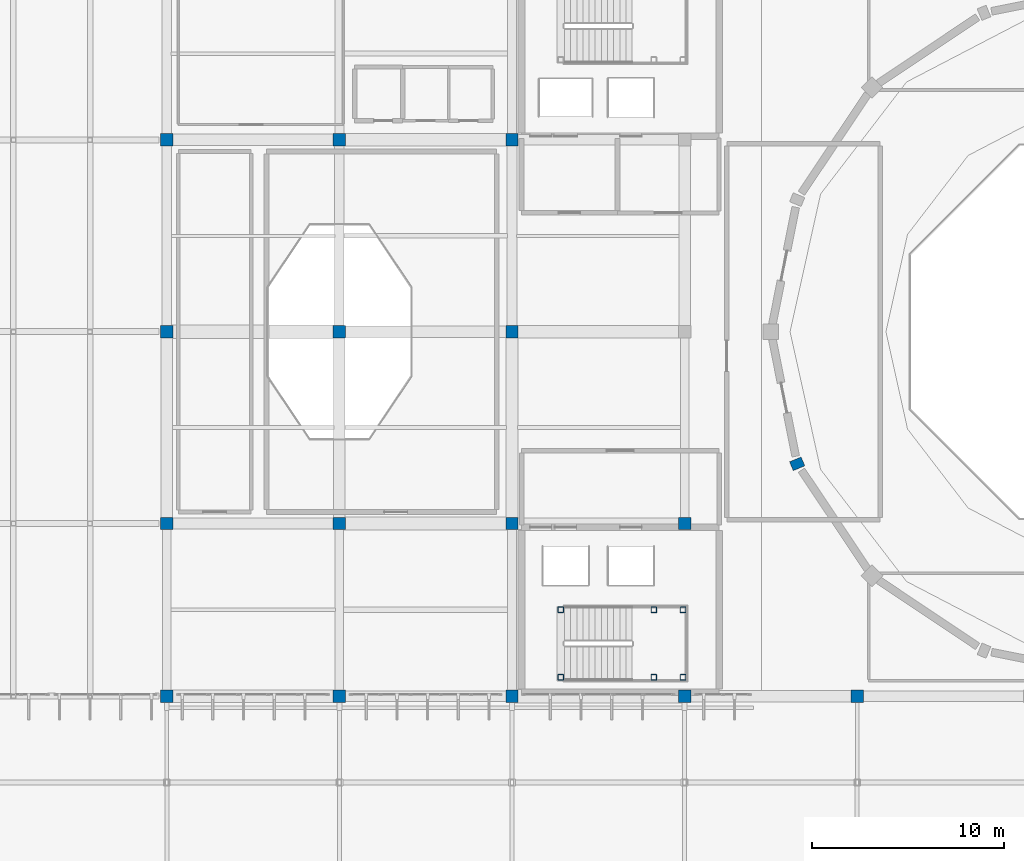
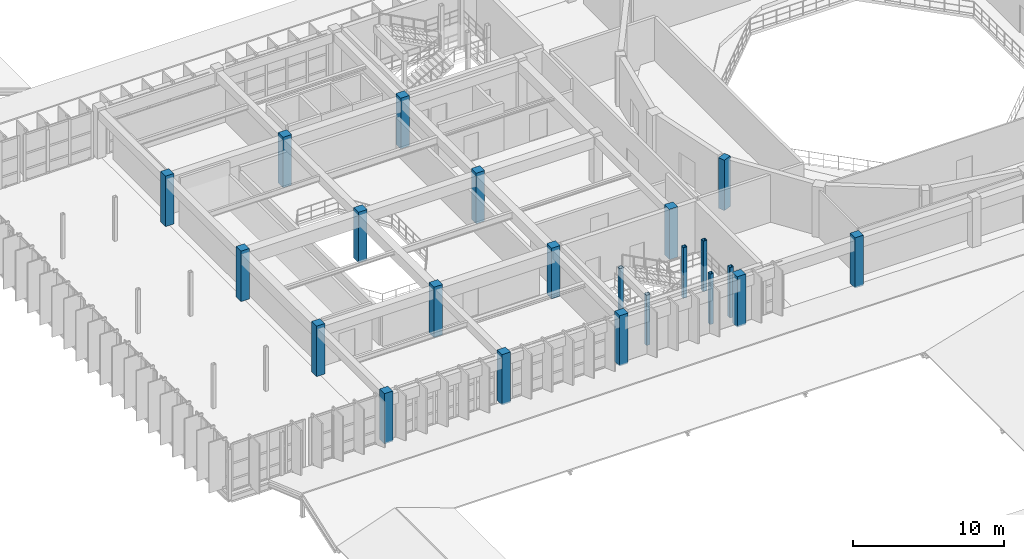
# One storey, part 1 of 80: 22 columns.
"""IFC4 building model written with IfcOpenShell, lengths in metres."""

from ifc_helpers import new_model, si_unit, direction, frame, origin, origin_2d, place, context, subcontext, project, spatial, rectangle, hollow_rectangle, extrude, material, material_profile, profile_set, type_object, element, save


model = new_model("IFC4")

# Units and contexts
model_context = context("Model", 3, precision=1e-05, world=origin(), true_north=direction((0.0, 1.0)))
body_context = subcontext(model_context, "Body", "Model", "MODEL_VIEW")
ifc_project = project(units=[si_unit("LENGTHUNIT", "METRE"), si_unit("AREAUNIT", "SQUARE_METRE"), si_unit("VOLUMEUNIT", "CUBIC_METRE"), si_unit("PLANEANGLEUNIT", "RADIAN"), si_unit("MASSUNIT", "GRAM", prefix="KILO")], contexts=[model_context])

# Site, building, storey
site_placement = place(None, origin())
site = spatial("IfcSite", under=ifc_project, at=site_placement, CompositionType="ELEMENT")
building_placement = place(site_placement, origin())
building = spatial("IfcBuilding", under=site, at=building_placement, Name="Miravela Opera House", CompositionType="ELEMENT")
storey_placement = place(building_placement, frame((0.0, 0.0, 17.679931640625)))
storey = spatial("IfcBuildingStorey", under=building, at=storey_placement, Name="L04", CompositionType="ELEMENT", Elevation=17.679931640625)

# Columns
ifc_material_1 = material(Name="Hollow structural steel ASTM A500 Gr. C", Category="steel")
ifc_material_profile_1 = material_profile(ifc_material_1, hollow_rectangle(XDim=0.300048828125, YDim=0.300048828125, WallThickness=0.01611328125, InnerFilletRadius=0.01611328125, OuterFilletRadius=0.031982421875, at=origin_2d()), Name="HSS300X300X16")
ifc_profile_set_1 = profile_set([ifc_material_profile_1])
column_type_1 = type_object("IfcColumnType", Name="STR-COL-HSS300", PredefinedType="COLUMN", material=ifc_profile_set_1)
for number, where, z_axis, x_axis, name in (
    (1, (47.5400390625, 37.97998046875, 0.0), (0.0, 0.0, 1.0), (1.0, 0.0, 0.0), "Stair K2 Landing Support Column 1 (L04)"),
    (2, (47.5400390625, 41.5, 0.0), (0.0, 0.0, 1.0), (1.0, 0.0, 0.0), "Stair K2 Landing Support Column 2 (L04)"),
    (3, (52.39990234375, 37.97998046875, 0.0), (0.0, 0.0, 1.0), (1.0, 0.0, 0.0), "Stair K2 Landing Support Column 3 (L04)"),
    (4, (52.39990234375, 41.5, 0.0), (0.0, 0.0, 1.0), (1.0, 0.0, 0.0), "Stair K2 Landing Support Column 4 (L04)"),
    (5, (53.919921875, 37.97998046875, 0.0), (0.0, 0.0, 1.0), (1.0, 0.0, 0.0), "Stair K2 Landing Support Column 5 (L04)"),
    (6, (53.919921875, 41.5, 0.0), (0.0, 0.0, 1.0), (1.0, 0.0, 0.0), "Stair K2 Landing Support Column 6 (L04)"),
):
    element("IfcColumn", number, at=place(storey_placement, frame(where, z_axis=z_axis, x_axis=x_axis)), inside=storey, type_object=column_type_1, Name=name, PredefinedType="COLUMN", context=body_context, shape_type="SweptSolid", body=[
        extrude(hollow_rectangle(XDim=0.300048828125, YDim=0.300048828125, WallThickness=0.01611328125, InnerFilletRadius=0.01611328125, OuterFilletRadius=0.031982421875, at=origin_2d()), origin(), (0.0, 0.0, 1.0), 4.080078125),
    ])
ifc_material_2 = material(Name="Concrete C35/45", Category="concrete")
ifc_material_profile_2 = material_profile(ifc_material_2, rectangle(XDim=0.64990234375, YDim=0.64990234375, at=origin_2d()), Name="RC-COL-650X650")
ifc_profile_set_2 = profile_set([ifc_material_profile_2])
column_type_2 = type_object("IfcColumnType", Name="STR-COL-RC650", PredefinedType="COLUMN", material=ifc_profile_set_2)
for number, where, z_axis, x_axis, name in (
    (7, (27.0, 37.0, 0.0), (0.0, 0.0, 1.0), (1.0, 0.0, 0.0), "Column C-4E (L04)"),
    (8, (27.0, 46.0, 0.0), (0.0, 0.0, 1.0), (1.0, 0.0, 0.0), "Column C-4F (L04)"),
    (9, (27.0, 56.0, 0.0), (0.0, 0.0, 1.0), (1.0, 0.0, 0.0), "Column C-4G (L04)"),
    (10, (27.0, 66.0, 0.0), (0.0, 0.0, 1.0), (1.0, 0.0, 0.0), "Column C-4H (L04)"),
    (11, (36.0, 37.0, 0.0), (0.0, 0.0, 1.0), (1.0, 0.0, 0.0), "Column C-5E (L04)"),
    (12, (36.0, 46.0, 0.0), (0.0, 0.0, 1.0), (1.0, 0.0, 0.0), "Column C-5F (L04)"),
    (13, (36.0, 56.0, 0.0), (0.0, 0.0, 1.0), (1.0, 0.0, 0.0), "Column C-5G (L04)"),
    (14, (36.0, 66.0, 0.0), (0.0, 0.0, 1.0), (1.0, 0.0, 0.0), "Column C-5H (L04)"),
    (15, (45.0, 37.0, 0.0), (0.0, 0.0, 1.0), (1.0, 0.0, 0.0), "Column C-6E (L04)"),
    (16, (45.0, 46.0, 0.0), (0.0, 0.0, 1.0), (1.0, 0.0, 0.0), "Column C-6F (L04)"),
    (17, (45.0, 56.0, 0.0), (0.0, 0.0, 1.0), (1.0, 0.0, 0.0), "Column C-6G (L04)"),
    (18, (45.0, 66.0, 0.0), (0.0, 0.0, 1.0), (1.0, 0.0, 0.0), "Column C-6H (L04)"),
    (19, (54.0, 37.0, 0.0), (0.0, 0.0, 1.0), (1.0, 0.0, 0.0), "Column C-7E (L04)"),
    (20, (54.0, 46.0, 0.0), (0.0, 0.0, 1.0), (1.0, 0.0, 0.0), "Column C-7F (L04)"),
    (21, (63.0, 37.0, 0.0), (0.0, 0.0, 1.0), (1.0, 0.0, 0.0), "Column C-8E (L04)"),
):
    element("IfcColumn", number, at=place(storey_placement, frame(where, z_axis=z_axis, x_axis=x_axis)), inside=storey, type_object=column_type_2, Name=name, PredefinedType="COLUMN", context=body_context, shape_type="SweptSolid", body=[
        extrude(rectangle(XDim=0.64990234375, YDim=0.64990234375, at=origin_2d()), origin(), (0.0, 0.0, 1.0), 4.080078125),
    ])
ifc_material_profile_3 = material_profile(ifc_material_2, rectangle(XDim=0.64990234375, YDim=0.5, at=origin_2d()), Name="RC-PIL-650X500")
ifc_profile_set_3 = profile_set([ifc_material_profile_3])
column_type_3 = type_object("IfcColumnType", Name="STR-PIL-RC650X500", PredefinedType="PILASTER", material=ifc_profile_set_3)
column_placement = place(storey_placement, frame((59.8701171875, 49.11181640625, 0.0), z_axis=(0.0, 0.0, 1.0), x_axis=(-0.923879532511, -0.382683432365, 0.0)))
element("IfcColumn", 22, at=column_placement, inside=storey, type_object=column_type_3, Name="Auditorium Drum Column DC-10 (L04)", PredefinedType="PILASTER", context=body_context, shape_type="SweptSolid", body=[
    extrude(rectangle(XDim=0.64990234375, YDim=0.5, at=origin_2d()), origin(), (0.0, 0.0, 1.0), 4.080078125),
])

save(model, "model.ifc")
